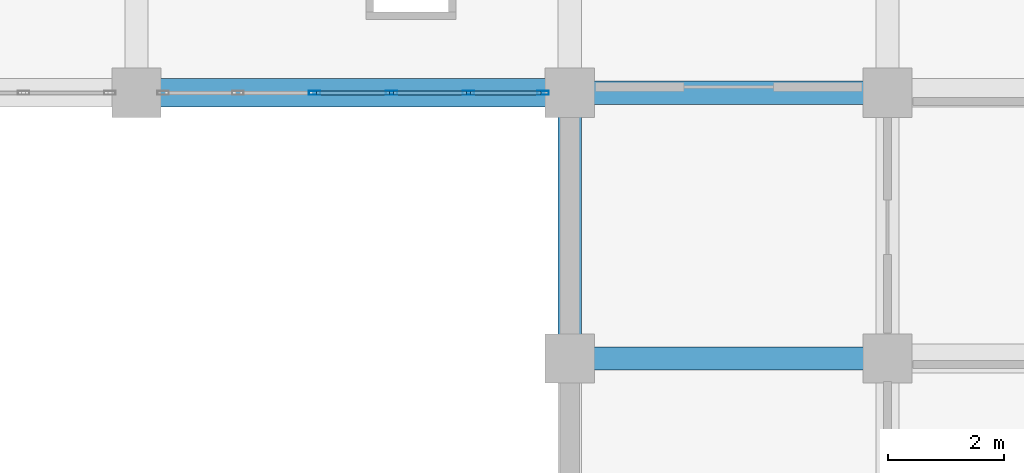
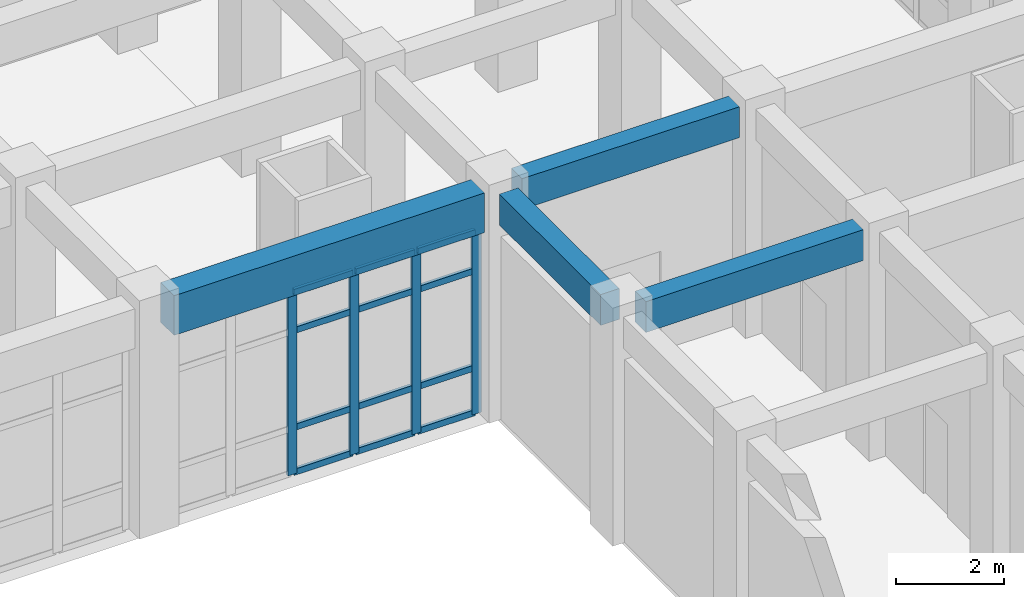
# One storey, part 45 of 84: 16 members, 4 beams, 1 element without a shape of its own.
"""IFC4 building model written with IfcOpenShell, lengths in metres."""

from ifc_helpers import new_model, si_unit, direction, frame, origin, origin_2d, place, context, subcontext, project, spatial, rectangle, hollow_rectangle, extrude, material, layer, layer_set, material_profile, profile_set, type_object, element, aggregate, save


model = new_model("IFC4")

# Units and contexts
model_context = context("Model", 3, precision=1e-05, world=origin(), true_north=direction((0.0, 1.0)))
body_context = subcontext(model_context, "Body", "Model", "MODEL_VIEW")
ifc_project = project(units=[si_unit("LENGTHUNIT", "METRE"), si_unit("AREAUNIT", "SQUARE_METRE"), si_unit("VOLUMEUNIT", "CUBIC_METRE"), si_unit("PLANEANGLEUNIT", "RADIAN"), si_unit("MASSUNIT", "GRAM", prefix="KILO")], contexts=[model_context])

# Site, building, storey
site_placement = place(None, origin())
site = spatial("IfcSite", under=ifc_project, at=site_placement, CompositionType="ELEMENT")
building_placement = place(site_placement, origin())
building = spatial("IfcBuilding", under=site, at=building_placement, Name="Muzn Square Opera House", CompositionType="ELEMENT")
storey_placement = place(building_placement, origin())
storey = spatial("IfcBuildingStorey", under=building, at=storey_placement, Name="L00", CompositionType="ELEMENT", Elevation=0.0)

# Curtain wall, members
ifc_material_1 = material(Name="Low-E laminated acoustic double glazing", Category="glass")
ifc_layer = layer(ifc_material_1, 0.159912109375, Name="Low-E laminated acoustic double glazing", Category="glass")
ifc_layer_set = layer_set([ifc_layer], Name="Low-E laminated acoustic double glazing")
curtain_wall_type = type_object("IfcCurtainWallType", Name="Glazed Curtain Wall EastCloisterN 6650x4150", PredefinedType="USERDEFINED", material=ifc_layer_set)
curtain_wall_placement = place(storey_placement, origin())
curtain_wall = element("IfcCurtainWall", 1, at=curtain_wall_placement, inside=storey, type_object=curtain_wall_type, Name="Glazed Curtain Wall CW-L00-080", ObjectType="GLAZED CURTAIN WALL", PredefinedType="USERDEFINED")
ifc_material_2 = material(Name="Anodised bronze aluminium 6063-T6", Category="metal")
ifc_material_profile_1 = material_profile(ifc_material_2, hollow_rectangle(XDim=0.070068359375, YDim=0.199951171875, WallThickness=0.0048828125, at=origin_2d()), Name="ALU 200x70x5", Category="metal")
ifc_profile_set_1 = profile_set([ifc_material_profile_1], Name="Anodised bronze aluminium 6063-T6")
member_type_1 = type_object("IfcMemberType", Name="Curtain Wall Mullion 200x70", PredefinedType="MULLION", material=ifc_profile_set_1)
member_1_placement = place(storey_placement, frame((152.5849609375, 54.199951171875, 0.0), z_axis=(0.0, 0.0, 1.0), x_axis=(0.0, 1.0, 0.0)))
member_1 = element("IfcMember", 2, at=member_1_placement, type_object=member_type_1, Name="CW-ECN-66x41 mullion 3", PredefinedType="MULLION", context=body_context, shape_type="SweptSolid", body=[
    extrude(hollow_rectangle(XDim=0.070068359375, YDim=0.199951171875, WallThickness=0.0048828125, at=origin_2d()), origin(), (0.0, 0.0, 1.0), 4.14990234375),
])
member_2_placement = place(storey_placement, frame((153.9150390625, 54.199951171875, 0.0), z_axis=(0.0, 0.0, 1.0), x_axis=(0.0, 1.0, 0.0)))
member_2 = element("IfcMember", 3, at=member_2_placement, type_object=member_type_1, Name="CW-ECN-66x41 mullion 4", PredefinedType="MULLION", context=body_context, shape_type="SweptSolid", body=[
    extrude(hollow_rectangle(XDim=0.070068359375, YDim=0.199951171875, WallThickness=0.0048828125, at=origin_2d()), origin(), (0.0, 0.0, 1.0), 4.14990234375),
])
member_3_placement = place(storey_placement, frame((155.2451171875, 54.199951171875, 0.0), z_axis=(0.0, 0.0, 1.0), x_axis=(0.0, 1.0, 0.0)))
member_3 = element("IfcMember", 4, at=member_3_placement, type_object=member_type_1, Name="CW-ECN-66x41 mullion 5", PredefinedType="MULLION", context=body_context, shape_type="SweptSolid", body=[
    extrude(hollow_rectangle(XDim=0.070068359375, YDim=0.199951171875, WallThickness=0.0048828125, at=origin_2d()), origin(), (0.0, 0.0, 1.0), 4.14990234375),
])
member_4_placement = place(storey_placement, frame((156.5400390625, 54.199951171875, 0.0), z_axis=(0.0, 0.0, 1.0), x_axis=(0.0, 1.0, 0.0)))
member_4 = element("IfcMember", 5, at=member_4_placement, type_object=member_type_1, Name="CW-ECN-66x41 mullion 6", PredefinedType="MULLION", context=body_context, shape_type="SweptSolid", body=[
    extrude(hollow_rectangle(XDim=0.070068359375, YDim=0.199951171875, WallThickness=0.0048828125, at=origin_2d()), origin(), (0.0, 0.0, 1.0), 4.14990234375),
])
ifc_material_profile_2 = material_profile(ifc_material_2, hollow_rectangle(XDim=0.070068359375, YDim=0.139892578125, WallThickness=0.00390625, at=origin_2d()), Name="ALU 140x70x4", Category="metal")
ifc_profile_set_2 = profile_set([ifc_material_profile_2], Name="Anodised bronze aluminium 6063-T6")
member_type_2 = type_object("IfcMemberType", Name="Curtain Wall Transom 140x70", PredefinedType="USERDEFINED", material=ifc_profile_set_2)
member_5_placement = place(storey_placement, frame((152.6201171875, 54.199951171875, 0.034912109375), z_axis=(1.0, 0.0, 0.0), x_axis=(0.0, 1.0, 0.0)))
member_5 = element("IfcMember", 6, at=member_5_placement, type_object=member_type_2, Name="CW-ECN-66x41 transom 3.1", ObjectType="TRANSOM", PredefinedType="USERDEFINED", context=body_context, shape_type="SweptSolid", body=[
    extrude(hollow_rectangle(XDim=0.070068359375, YDim=0.139892578125, WallThickness=0.00390625, at=origin_2d()), origin(), (0.0, 0.0, 1.0), 1.259765625),
])
member_6_placement = place(storey_placement, frame((152.6201171875, 54.199951171875, 1.050048828125), z_axis=(1.0, 0.0, 0.0), x_axis=(0.0, 1.0, 0.0)))
member_6 = element("IfcMember", 7, at=member_6_placement, type_object=member_type_2, Name="CW-ECN-66x41 transom 3.2", ObjectType="TRANSOM", PredefinedType="USERDEFINED", context=body_context, shape_type="SweptSolid", body=[
    extrude(hollow_rectangle(XDim=0.070068359375, YDim=0.139892578125, WallThickness=0.00390625, at=origin_2d()), origin(), (0.0, 0.0, 1.0), 1.259765625),
])
member_7_placement = place(storey_placement, frame((152.6201171875, 54.199951171875, 3.25), z_axis=(1.0, 0.0, 0.0), x_axis=(0.0, 1.0, 0.0)))
member_7 = element("IfcMember", 8, at=member_7_placement, type_object=member_type_2, Name="CW-ECN-66x41 transom 3.3", ObjectType="TRANSOM", PredefinedType="USERDEFINED", context=body_context, shape_type="SweptSolid", body=[
    extrude(hollow_rectangle(XDim=0.070068359375, YDim=0.139892578125, WallThickness=0.00390625, at=origin_2d()), origin(), (0.0, 0.0, 1.0), 1.259765625),
])
member_8_placement = place(storey_placement, frame((152.6201171875, 54.199951171875, 4.114990234375), z_axis=(1.0, 0.0, 0.0), x_axis=(0.0, 1.0, 0.0)))
member_8 = element("IfcMember", 9, at=member_8_placement, type_object=member_type_2, Name="CW-ECN-66x41 transom 3.4", ObjectType="TRANSOM", PredefinedType="USERDEFINED", context=body_context, shape_type="SweptSolid", body=[
    extrude(hollow_rectangle(XDim=0.070068359375, YDim=0.139892578125, WallThickness=0.00390625, at=origin_2d()), origin(), (0.0, 0.0, 1.0), 1.259765625),
])
member_9_placement = place(storey_placement, frame((153.949951171875, 54.199951171875, 0.034912109375), z_axis=(1.0, 0.0, 0.0), x_axis=(0.0, 1.0, 0.0)))
member_9 = element("IfcMember", 10, at=member_9_placement, type_object=member_type_2, Name="CW-ECN-66x41 transom 4.1", ObjectType="TRANSOM", PredefinedType="USERDEFINED", context=body_context, shape_type="SweptSolid", body=[
    extrude(hollow_rectangle(XDim=0.070068359375, YDim=0.139892578125, WallThickness=0.00390625, at=origin_2d()), origin(), (0.0, 0.0, 1.0), 1.260009765625),
])
member_10_placement = place(storey_placement, frame((153.949951171875, 54.199951171875, 1.050048828125), z_axis=(1.0, 0.0, 0.0), x_axis=(0.0, 1.0, 0.0)))
member_10 = element("IfcMember", 11, at=member_10_placement, type_object=member_type_2, Name="CW-ECN-66x41 transom 4.2", ObjectType="TRANSOM", PredefinedType="USERDEFINED", context=body_context, shape_type="SweptSolid", body=[
    extrude(hollow_rectangle(XDim=0.070068359375, YDim=0.139892578125, WallThickness=0.00390625, at=origin_2d()), origin(), (0.0, 0.0, 1.0), 1.260009765625),
])
member_11_placement = place(storey_placement, frame((153.949951171875, 54.199951171875, 3.25), z_axis=(1.0, 0.0, 0.0), x_axis=(0.0, 1.0, 0.0)))
member_11 = element("IfcMember", 12, at=member_11_placement, type_object=member_type_2, Name="CW-ECN-66x41 transom 4.3", ObjectType="TRANSOM", PredefinedType="USERDEFINED", context=body_context, shape_type="SweptSolid", body=[
    extrude(hollow_rectangle(XDim=0.070068359375, YDim=0.139892578125, WallThickness=0.00390625, at=origin_2d()), origin(), (0.0, 0.0, 1.0), 1.260009765625),
])
member_12_placement = place(storey_placement, frame((153.949951171875, 54.199951171875, 4.114990234375), z_axis=(1.0, 0.0, 0.0), x_axis=(0.0, 1.0, 0.0)))
member_12 = element("IfcMember", 13, at=member_12_placement, type_object=member_type_2, Name="CW-ECN-66x41 transom 4.4", ObjectType="TRANSOM", PredefinedType="USERDEFINED", context=body_context, shape_type="SweptSolid", body=[
    extrude(hollow_rectangle(XDim=0.070068359375, YDim=0.139892578125, WallThickness=0.00390625, at=origin_2d()), origin(), (0.0, 0.0, 1.0), 1.260009765625),
])
member_13_placement = place(storey_placement, frame((155.280029296875, 54.199951171875, 0.034912109375), z_axis=(1.0, 0.0, 0.0), x_axis=(0.0, 1.0, 0.0)))
member_13 = element("IfcMember", 14, at=member_13_placement, type_object=member_type_2, Name="CW-ECN-66x41 transom 5.1", ObjectType="TRANSOM", PredefinedType="USERDEFINED", context=body_context, shape_type="SweptSolid", body=[
    extrude(hollow_rectangle(XDim=0.070068359375, YDim=0.139892578125, WallThickness=0.00390625, at=origin_2d()), origin(), (0.0, 0.0, 1.0), 1.224853515625),
])
member_14_placement = place(storey_placement, frame((155.280029296875, 54.199951171875, 1.050048828125), z_axis=(1.0, 0.0, 0.0), x_axis=(0.0, 1.0, 0.0)))
member_14 = element("IfcMember", 15, at=member_14_placement, type_object=member_type_2, Name="CW-ECN-66x41 transom 5.2", ObjectType="TRANSOM", PredefinedType="USERDEFINED", context=body_context, shape_type="SweptSolid", body=[
    extrude(hollow_rectangle(XDim=0.070068359375, YDim=0.139892578125, WallThickness=0.00390625, at=origin_2d()), origin(), (0.0, 0.0, 1.0), 1.224853515625),
])
member_15_placement = place(storey_placement, frame((155.280029296875, 54.199951171875, 3.25), z_axis=(1.0, 0.0, 0.0), x_axis=(0.0, 1.0, 0.0)))
member_15 = element("IfcMember", 16, at=member_15_placement, type_object=member_type_2, Name="CW-ECN-66x41 transom 5.3", ObjectType="TRANSOM", PredefinedType="USERDEFINED", context=body_context, shape_type="SweptSolid", body=[
    extrude(hollow_rectangle(XDim=0.070068359375, YDim=0.139892578125, WallThickness=0.00390625, at=origin_2d()), origin(), (0.0, 0.0, 1.0), 1.224853515625),
])
member_16_placement = place(storey_placement, frame((155.280029296875, 54.199951171875, 4.114990234375), z_axis=(1.0, 0.0, 0.0), x_axis=(0.0, 1.0, 0.0)))
member_16 = element("IfcMember", 17, at=member_16_placement, type_object=member_type_2, Name="CW-ECN-66x41 transom 5.4", ObjectType="TRANSOM", PredefinedType="USERDEFINED", context=body_context, shape_type="SweptSolid", body=[
    extrude(hollow_rectangle(XDim=0.070068359375, YDim=0.139892578125, WallThickness=0.00390625, at=origin_2d()), origin(), (0.0, 0.0, 1.0), 1.224853515625),
])
aggregate(curtain_wall, [member_1, member_2, member_3, member_4, member_5, member_6, member_7, member_8, member_9, member_10, member_11, member_12, member_13, member_14, member_15, member_16])

# Beams
ifc_material_3 = material(Name="Concrete C40/50", Category="concrete")
ifc_material_profile_3 = material_profile(ifc_material_3, rectangle(XDim=0.39990234375, YDim=0.699951171875, at=origin_2d()), Name="RCB 400x700", Category="concrete")
ifc_profile_set_3 = profile_set([ifc_material_profile_3], Name="Concrete C40/50")
beam_type_1 = type_object("IfcBeamType", Name="Primary Girder 400x700", PredefinedType="BEAM", material=ifc_profile_set_3)
for number, where, z_axis, x_axis, name in (
    (18, (157.4169921875, 49.60009765625, 4.77001953125), (1.0, 0.0, 0.0), (0.0, 1.0, 0.0), "Primary Girder BM-L00-BM-PG700-1574_496_1621_496-837"),
    (19, (157.4169921875, 54.199951171875, 4.77001953125), (1.0, 0.0, 0.0), (0.0, 1.0, 0.0), "Primary Girder BM-L00-BM-PG700-1574_542_1621_542-849"),
):
    element("IfcBeam", number, at=place(storey_placement, frame(where, z_axis=z_axis, x_axis=x_axis)), inside=storey, type_object=beam_type_1, Name=name, PredefinedType="BEAM", context=body_context, shape_type="SweptSolid", body=[
        extrude(rectangle(XDim=0.39990234375, YDim=0.699951171875, at=origin_2d()), origin(), (0.0, 0.0, 1.0), 4.666015625),
    ])
beam_1_placement = place(storey_placement, frame((157.0, 50.01708984375, 4.77001953125), z_axis=(0.0, 1.0, 0.0), x_axis=(-1.0, 0.0, 0.0)))
element("IfcBeam", 20, at=beam_1_placement, inside=storey, type_object=beam_type_1, Name="Primary Girder BM-L00-BM-PG700-1570_500_1570_538-1146", PredefinedType="BEAM", context=body_context, shape_type="SweptSolid", body=[
    extrude(rectangle(XDim=0.39990234375, YDim=0.699951171875, at=origin_2d()), origin(), (0.0, 0.0, 1.0), 3.765869140625),
])
ifc_material_profile_4 = material_profile(ifc_material_3, rectangle(XDim=0.5, YDim=0.89990234375, at=origin_2d()), Name="RCB 500x900", Category="concrete")
ifc_profile_set_4 = profile_set([ifc_material_profile_4], Name="Concrete C40/50")
beam_type_2 = type_object("IfcBeamType", Name="Primary Girder 500x900", PredefinedType="BEAM", material=ifc_profile_set_4)
beam_2_placement = place(storey_placement, frame((149.9169921875, 54.199951171875, 4.669921875), z_axis=(1.0, 0.0, 0.0), x_axis=(0.0, 1.0, 0.0)))
element("IfcBeam", 21, at=beam_2_placement, inside=storey, type_object=beam_type_2, Name="Primary Girder BM-L00-BM-PG900-1499_542_1566_542-848", PredefinedType="BEAM", context=body_context, shape_type="SweptSolid", body=[
    extrude(rectangle(XDim=0.5, YDim=0.89990234375, at=origin_2d()), origin(), (0.0, 0.0, 1.0), 6.666015625),
])

save(model, "model.ifc")
